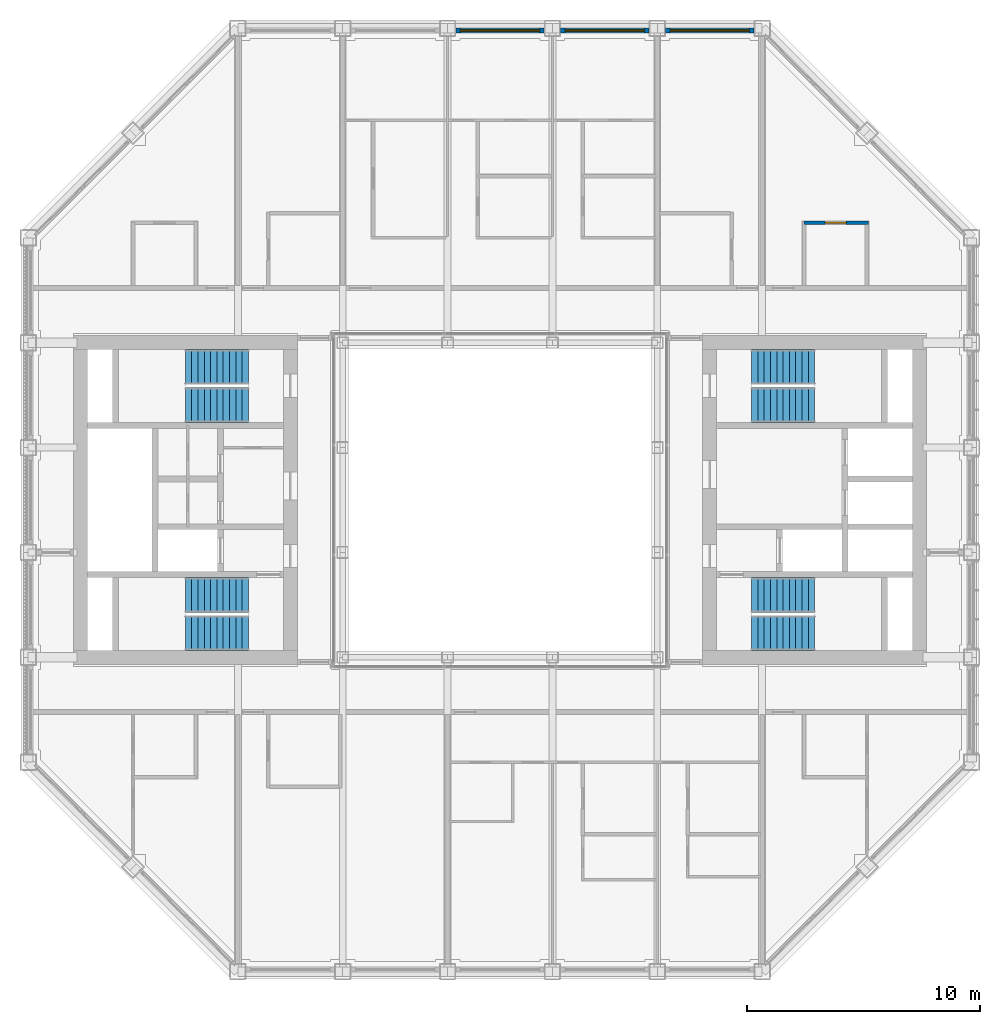
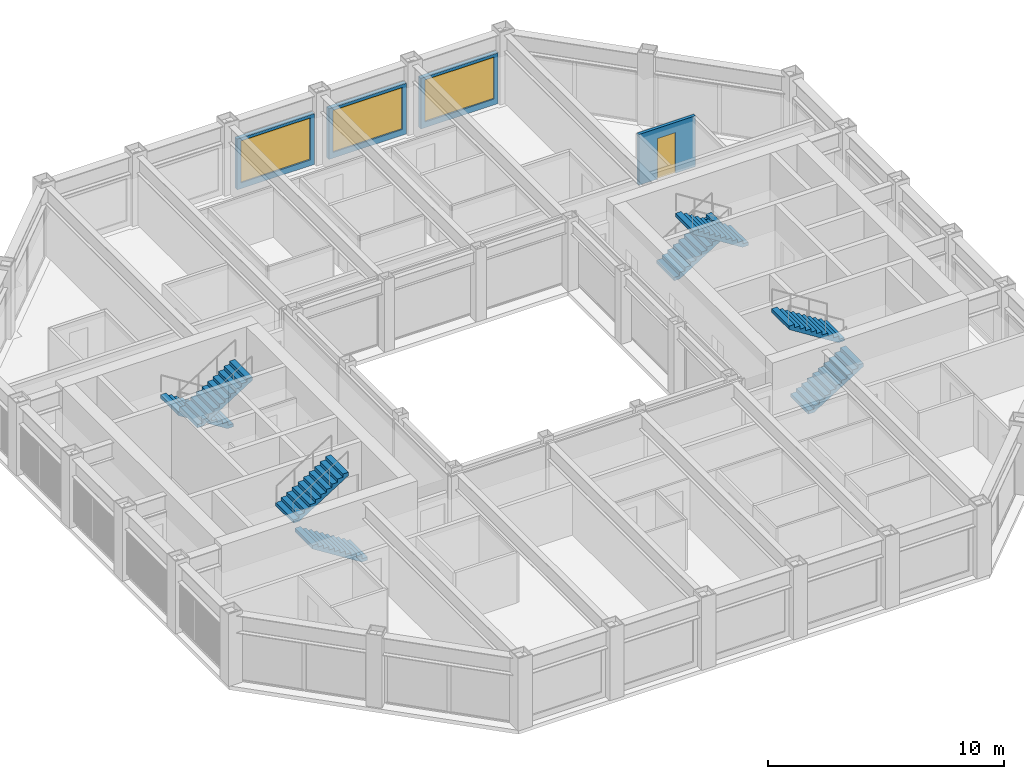
# One storey, part 13 of 17: 8 stair flights, 4 walls, 3 windows, 1 door, 4 openings, 4 elements without a shape of their own.
"""IFC4 building model written with IfcOpenShell, lengths in metres."""

from ifc_helpers import new_model, si_unit, direction, frame, frame_2d, origin, place, context, subcontext, project, spatial, polyline, rectangle, outline, extrude, material, layer, layer_set, type_object, element, fill, aggregate, save


model = new_model("IFC4")

# Units and contexts
model_context = context("Model", 3, precision=1e-05, world=origin(), true_north=direction((0.0, 1.0)))
body_context = subcontext(model_context, "Body", "Model", "MODEL_VIEW")
ifc_project = project(units=[si_unit("LENGTHUNIT", "METRE"), si_unit("AREAUNIT", "SQUARE_METRE"), si_unit("VOLUMEUNIT", "CUBIC_METRE"), si_unit("PLANEANGLEUNIT", "RADIAN"), si_unit("MASSUNIT", "GRAM", prefix="KILO")], contexts=[model_context])

# Site, building, storey
site_placement = place(None, origin())
site = spatial("IfcSite", under=ifc_project, at=site_placement, CompositionType="ELEMENT")
building_placement = place(site_placement, origin())
building = spatial("IfcBuilding", under=site, at=building_placement, Name="Msasa Ring Tower", CompositionType="ELEMENT")
storey_placement = place(building_placement, frame((0.0, 0.0, 234.550048828125)))
storey = spatial("IfcBuildingStorey", under=building, at=storey_placement, Name="L61", CompositionType="ELEMENT", Elevation=234.550048828125)

# Wall, opening, window
ifc_material_1 = material(Name="Terracotta rainscreen on blockwork", Category="masonry")
ifc_layer_1 = layer(ifc_material_1, 0.199951171875)
ifc_layer_set_1 = layer_set([ifc_layer_1], Name="FW1 TERRACOTTA-LINED INFILL BAY WALL 200")
wall_type_1 = type_object("IfcWallType", Name="FW1 TERRACOTTA-LINED INFILL BAY WALL 200", PredefinedType="SOLIDWALL", material=ifc_layer_set_1)
wall_1_placement = place(storey_placement, frame((-1.89501953125, 20.14990234375, 0.0), z_axis=(0.0, 0.0, 1.0), x_axis=(1.0, 0.0, 0.0)))
wall_1 = element("IfcWall", 1, at=wall_1_placement, inside=storey, type_object=wall_type_1, Name="Infill bay wall N L61 16", PredefinedType="SOLIDWALL", context=body_context, shape_type="SweptSolid", body=[
    extrude(rectangle(XDim=3.7900390625, YDim=0.199951171875, at=frame_2d((1.89501953125, 0.0))), origin(), (0.0, 0.0, 1.0), 2.62890625),
])
opening_1_placement = place(wall_1_placement, frame((0.195068359375, 0.0, 0.300048828125)))
opening_1 = element("IfcOpeningElement", 2, at=opening_1_placement, cuts=wall_1, Name="Opening WN3", PredefinedType="OPENING", context=body_context, shape_type="SweptSolid", body=[
    extrude(rectangle(XDim=3.39990234375, YDim=2.178955078125, at=frame_2d((1.699951171875, 1.08935546875))), frame((0.0, 0.10986328125, 0.0), z_axis=(0.0, -1.0, 0.0), x_axis=(1.0, 0.0, 0.0)), (0.0, 0.0, 1.0), 0.219970703125),
])
ifc_material_2 = material(Name="Aluminium frame with clear glass", Category="aluminium")
window_type = type_object("IfcWindowType", Name="WN3 SUITE WINDOW 3400x2179", PartitioningType="SINGLE_PANEL", PredefinedType="WINDOW", material=ifc_material_2)
window_1_placement = place(opening_1_placement, origin())
window_1 = element("IfcWindow", 3, at=window_1_placement, inside=storey, type_object=window_type, Name="Window N L61 16", OverallHeight=2.178955078125, OverallWidth=3.39990234375, PartitioningType="SINGLE_PANEL", PredefinedType="WINDOW", context=body_context, shape_type="SweptSolid", body=[
    extrude(rectangle(XDim=3.39990234375, YDim=2.178955078125, at=frame_2d((1.699951171875, 1.08935546875))), frame((0.0, 0.030029296875, 0.0), z_axis=(0.0, -1.0, 0.0), x_axis=(1.0, 0.0, 0.0)), (0.0, 0.0, 1.0), 0.06005859375),
])
fill(opening_1, window_1)

wall_2_placement = place(storey_placement, frame((2.60498046875, 20.14990234375, 0.0), z_axis=(0.0, 0.0, 1.0), x_axis=(1.0, 0.0, 0.0)))
wall_2 = element("IfcWall", 4, at=wall_2_placement, inside=storey, type_object=wall_type_1, Name="Infill bay wall N L61 17", PredefinedType="SOLIDWALL", context=body_context, shape_type="SweptSolid", body=[
    extrude(rectangle(XDim=3.7900390625, YDim=0.199951171875, at=frame_2d((1.89501953125, 0.0))), origin(), (0.0, 0.0, 1.0), 2.62890625),
])
opening_2_placement = place(wall_2_placement, frame((0.195068359375, 0.0, 0.300048828125)))
opening_2 = element("IfcOpeningElement", 5, at=opening_2_placement, cuts=wall_2, Name="Opening WN3", PredefinedType="OPENING", context=body_context, shape_type="SweptSolid", body=[
    extrude(rectangle(XDim=3.39990234375, YDim=2.178955078125, at=frame_2d((1.699951171875, 1.08935546875))), frame((0.0, 0.10986328125, 0.0), z_axis=(0.0, -1.0, 0.0), x_axis=(1.0, 0.0, 0.0)), (0.0, 0.0, 1.0), 0.219970703125),
])
window_2_placement = place(opening_2_placement, origin())
window_2 = element("IfcWindow", 6, at=window_2_placement, inside=storey, type_object=window_type, Name="Window N L61 17", OverallHeight=2.178955078125, OverallWidth=3.39990234375, PartitioningType="SINGLE_PANEL", PredefinedType="WINDOW", context=body_context, shape_type="SweptSolid", body=[
    extrude(rectangle(XDim=3.39990234375, YDim=2.178955078125, at=frame_2d((1.699951171875, 1.08935546875))), frame((0.0, 0.030029296875, 0.0), z_axis=(0.0, -1.0, 0.0), x_axis=(1.0, 0.0, 0.0)), (0.0, 0.0, 1.0), 0.06005859375),
])
fill(opening_2, window_2)

wall_3_placement = place(storey_placement, frame((7.10498046875, 20.14990234375, 0.0), z_axis=(0.0, 0.0, 1.0), x_axis=(1.0, 0.0, 0.0)))
wall_3 = element("IfcWall", 7, at=wall_3_placement, inside=storey, type_object=wall_type_1, Name="Infill bay wall N L61 18", PredefinedType="SOLIDWALL", context=body_context, shape_type="SweptSolid", body=[
    extrude(rectangle(XDim=3.7900390625, YDim=0.199951171875, at=frame_2d((1.89501953125, 0.0))), origin(), (0.0, 0.0, 1.0), 2.62890625),
])
opening_3_placement = place(wall_3_placement, frame((0.195068359375, 0.0, 0.300048828125)))
opening_3 = element("IfcOpeningElement", 8, at=opening_3_placement, cuts=wall_3, Name="Opening WN3", PredefinedType="OPENING", context=body_context, shape_type="SweptSolid", body=[
    extrude(rectangle(XDim=3.39990234375, YDim=2.178955078125, at=frame_2d((1.699951171875, 1.08935546875))), frame((0.0, 0.10986328125, 0.0), z_axis=(0.0, -1.0, 0.0), x_axis=(1.0, 0.0, 0.0)), (0.0, 0.0, 1.0), 0.219970703125),
])
window_3_placement = place(opening_3_placement, origin())
window_3 = element("IfcWindow", 9, at=window_3_placement, inside=storey, type_object=window_type, Name="Window N L61 18", OverallHeight=2.178955078125, OverallWidth=3.39990234375, PartitioningType="SINGLE_PANEL", PredefinedType="WINDOW", context=body_context, shape_type="SweptSolid", body=[
    extrude(rectangle(XDim=3.39990234375, YDim=2.178955078125, at=frame_2d((1.699951171875, 1.08935546875))), frame((0.0, 0.030029296875, 0.0), z_axis=(0.0, -1.0, 0.0), x_axis=(1.0, 0.0, 0.0)), (0.0, 0.0, 1.0), 0.06005859375),
])
fill(opening_3, window_3)

# Wall, opening, door
ifc_material_3 = material(Name="Moisture-resistant board on steel studs with a concealed cistern and pipe void, tiled", Category="steel")
ifc_layer_2 = layer(ifc_material_3, 0.14990234375)
ifc_layer_set_2 = layer_set([ifc_layer_2], Name="PT4 BATHROOM WET WALL 150")
wall_type_2 = type_object("IfcWallType", Name="PT4 BATHROOM WET WALL 150", PredefinedType="PARTITIONING", material=ifc_layer_set_2)
wall_4_placement = place(storey_placement, frame((13.050048828125, 11.89990234375, 0.0), z_axis=(0.0, 0.0, 1.0), x_axis=(1.0, 0.0, 0.0)))
wall_4 = element("IfcWall", 10, at=wall_4_placement, inside=storey, type_object=wall_type_2, Name="Partition L61-CSNEBY", PredefinedType="PARTITIONING", context=body_context, shape_type="SweptSolid", body=[
    extrude(rectangle(XDim=2.77490234375, YDim=0.14990234375, at=frame_2d((1.387451171875, 0.0))), origin(), (0.0, 0.0, 1.0), 2.62890625),
])
opening_4_placement = place(wall_4_placement, frame((0.89990234375, 0.0, 0.0)))
opening_4 = element("IfcOpeningElement", 11, at=opening_4_placement, cuts=wall_4, Name="Opening SD-010", PredefinedType="OPENING", context=body_context, shape_type="SweptSolid", body=[
    extrude(rectangle(XDim=0.89990234375, YDim=2.10009765625, at=frame_2d((0.449951171875, 1.050048828125))), frame((0.0, 0.0849609375, 0.0), z_axis=(0.0, -1.0, 0.0), x_axis=(1.0, 0.0, 0.0)), (0.0, 0.0, 1.0), 0.169921875),
])
ifc_material_4 = material(Name="Timber door leaf in a steel frame", Category="steel")
door_type = type_object("IfcDoorType", Name="D3 BATHROOM DOOR 900x2100", OperationType="SINGLE_SWING_LEFT", PredefinedType="DOOR", material=ifc_material_4)
door_placement = place(opening_4_placement, origin())
door = element("IfcDoor", 12, at=door_placement, inside=storey, type_object=door_type, Name="Door L61-CSNEB1", OperationType="SINGLE_SWING_LEFT", OverallHeight=2.10009765625, OverallWidth=0.89990234375, PredefinedType="DOOR", context=body_context, shape_type="SweptSolid", body=[
    extrude(rectangle(XDim=0.89990234375, YDim=2.10009765625, at=frame_2d((0.449951171875, 1.050048828125))), frame((0.0, 0.02490234375, 0.0), z_axis=(0.0, -1.0, 0.0), x_axis=(1.0, 0.0, 0.0)), (0.0, 0.0, 1.0), 0.050048828125),
])
fill(opening_4, door)

# Stair, stair flights
ifc_material_5 = material(Name="Concrete C40/50", Category="concrete")
stair_type = type_object("IfcStairType", Name="STC CORE STAIR 22 RISERS 170.5", PredefinedType="HALF_TURN_STAIR", material=ifc_material_5)
stair_1_placement = place(storey_placement, origin())
stair_1 = element("IfcStair", 13, at=stair_1_placement, inside=storey, type_object=stair_type, Name="Core stair SEA L61", PredefinedType="HALF_TURN_STAIR")
ifc_material_6 = material(Name="Concrete C40/50", Category="concrete")
stair_flight_type = type_object("IfcStairFlightType", Name="ST11 CORE STAIR FLIGHT 1500 11 RISERS 170.5", PredefinedType="STRAIGHT", material=ifc_material_6)
stair_flight_1_placement = place(storey_placement, frame((10.800048828125, -5.699951171875, 0.0), z_axis=(0.0, 0.0, 1.0), x_axis=(1.0, 0.0, 0.0)))
stair_flight_1 = element("IfcStairFlight", 14, at=stair_flight_1_placement, type_object=stair_flight_type, Name="SEA flight 1", NumberOfRisers=11, NumberOfTreads=10, PredefinedType="STRAIGHT", RiserHeight=0.170454545, TreadLength=0.27, context=body_context, shape_type="SweptSolid", body=[
    extrude(outline(polyline([(0.0, 0.0), (0.0, 0.17041015625), (0.27001953125, 0.17041015625), (0.27001953125, 0.3408203125), (0.5400390625, 0.3408203125), (0.5400390625, 0.511474609375), (0.81005859375, 0.511474609375), (0.81005859375, 0.681884765625), (1.080078125, 0.681884765625), (1.080078125, 0.852294921875), (1.35009765625, 0.852294921875), (1.35009765625, 1.022705078125), (1.6201171875, 1.022705078125), (1.6201171875, 1.193115234375), (1.889892578125, 1.193115234375), (1.889892578125, 1.363525390625), (2.159912109375, 1.363525390625), (2.159912109375, 1.5341796875), (2.429931640625, 1.5341796875), (2.429931640625, 1.70458984375), (2.699951171875, 1.70458984375), (2.699951171875, 1.875), (2.699951171875, 1.52734375), (0.28076171875, 0.0), (0.0, 0.0)])), frame((0.0, 0.75, 0.0), z_axis=(0.0, -1.0, 0.0), x_axis=(1.0, 0.0, 0.0)), (0.0, 0.0, 1.0), 1.5),
])
stair_flight_2_placement = place(storey_placement, frame((13.5, -4.074951171875, 1.875), z_axis=(0.0, 0.0, 1.0), x_axis=(-1.0, 0.0, 0.0)))
stair_flight_2 = element("IfcStairFlight", 15, at=stair_flight_2_placement, type_object=stair_flight_type, Name="SEA flight 2", NumberOfRisers=11, NumberOfTreads=10, PredefinedType="STRAIGHT", RiserHeight=0.170454545, TreadLength=0.27, context=body_context, shape_type="SweptSolid", body=[
    extrude(outline(polyline([(0.0, 0.0), (0.0, 0.17041015625), (0.27001953125, 0.17041015625), (0.27001953125, 0.3408203125), (0.5400390625, 0.3408203125), (0.5400390625, 0.511474609375), (0.81005859375, 0.511474609375), (0.81005859375, 0.681884765625), (1.080078125, 0.681884765625), (1.080078125, 0.852294921875), (1.35009765625, 0.852294921875), (1.35009765625, 1.022705078125), (1.6201171875, 1.022705078125), (1.6201171875, 1.193115234375), (1.889892578125, 1.193115234375), (1.889892578125, 1.363525390625), (2.159912109375, 1.363525390625), (2.159912109375, 1.5341796875), (2.429931640625, 1.5341796875), (2.429931640625, 1.70458984375), (2.699951171875, 1.70458984375), (2.699951171875, 1.875), (2.699951171875, 1.52734375), (0.28076171875, 0.0), (0.0, 0.0)])), frame((0.0, 0.75, 0.0), z_axis=(0.0, -1.0, 0.0), x_axis=(1.0, 0.0, 0.0)), (0.0, 0.0, 1.0), 1.5),
])
aggregate(stair_1, [stair_flight_1, stair_flight_2])

stair_2_placement = place(storey_placement, origin())
stair_2 = element("IfcStair", 16, at=stair_2_placement, inside=storey, type_object=stair_type, Name="Core stair SEB L61", PredefinedType="HALF_TURN_STAIR")
stair_flight_3_placement = place(storey_placement, frame((10.800048828125, 5.699951171875, 0.0), z_axis=(0.0, 0.0, 1.0), x_axis=(1.0, 0.0, 0.0)))
stair_flight_3 = element("IfcStairFlight", 17, at=stair_flight_3_placement, type_object=stair_flight_type, Name="SEB flight 1", NumberOfRisers=11, NumberOfTreads=10, PredefinedType="STRAIGHT", RiserHeight=0.170454545, TreadLength=0.27, context=body_context, shape_type="SweptSolid", body=[
    extrude(outline(polyline([(0.0, 0.0), (0.0, 0.17041015625), (0.27001953125, 0.17041015625), (0.27001953125, 0.3408203125), (0.5400390625, 0.3408203125), (0.5400390625, 0.511474609375), (0.81005859375, 0.511474609375), (0.81005859375, 0.681884765625), (1.080078125, 0.681884765625), (1.080078125, 0.852294921875), (1.35009765625, 0.852294921875), (1.35009765625, 1.022705078125), (1.6201171875, 1.022705078125), (1.6201171875, 1.193115234375), (1.889892578125, 1.193115234375), (1.889892578125, 1.363525390625), (2.159912109375, 1.363525390625), (2.159912109375, 1.5341796875), (2.429931640625, 1.5341796875), (2.429931640625, 1.70458984375), (2.699951171875, 1.70458984375), (2.699951171875, 1.875), (2.699951171875, 1.52734375), (0.28076171875, 0.0), (0.0, 0.0)])), frame((0.0, 0.75, 0.0), z_axis=(0.0, -1.0, 0.0), x_axis=(1.0, 0.0, 0.0)), (0.0, 0.0, 1.0), 1.5),
])
stair_flight_4_placement = place(storey_placement, frame((13.5, 4.074951171875, 1.875), z_axis=(0.0, 0.0, 1.0), x_axis=(-1.0, 0.0, 0.0)))
stair_flight_4 = element("IfcStairFlight", 18, at=stair_flight_4_placement, type_object=stair_flight_type, Name="SEB flight 2", NumberOfRisers=11, NumberOfTreads=10, PredefinedType="STRAIGHT", RiserHeight=0.170454545, TreadLength=0.27, context=body_context, shape_type="SweptSolid", body=[
    extrude(outline(polyline([(0.0, 0.0), (0.0, 0.17041015625), (0.27001953125, 0.17041015625), (0.27001953125, 0.3408203125), (0.5400390625, 0.3408203125), (0.5400390625, 0.511474609375), (0.81005859375, 0.511474609375), (0.81005859375, 0.681884765625), (1.080078125, 0.681884765625), (1.080078125, 0.852294921875), (1.35009765625, 0.852294921875), (1.35009765625, 1.022705078125), (1.6201171875, 1.022705078125), (1.6201171875, 1.193115234375), (1.889892578125, 1.193115234375), (1.889892578125, 1.363525390625), (2.159912109375, 1.363525390625), (2.159912109375, 1.5341796875), (2.429931640625, 1.5341796875), (2.429931640625, 1.70458984375), (2.699951171875, 1.70458984375), (2.699951171875, 1.875), (2.699951171875, 1.52734375), (0.28076171875, 0.0), (0.0, 0.0)])), frame((0.0, 0.75, 0.0), z_axis=(0.0, -1.0, 0.0), x_axis=(1.0, 0.0, 0.0)), (0.0, 0.0, 1.0), 1.5),
])
aggregate(stair_2, [stair_flight_3, stair_flight_4])

stair_3_placement = place(storey_placement, origin())
stair_3 = element("IfcStair", 19, at=stair_3_placement, inside=storey, type_object=stair_type, Name="Core stair SWA L61", PredefinedType="HALF_TURN_STAIR")
stair_flight_5_placement = place(storey_placement, frame((-10.800048828125, -5.699951171875, 0.0), z_axis=(0.0, 0.0, 1.0), x_axis=(-1.0, 0.0, 0.0)))
stair_flight_5 = element("IfcStairFlight", 20, at=stair_flight_5_placement, type_object=stair_flight_type, Name="SWA flight 1", NumberOfRisers=11, NumberOfTreads=10, PredefinedType="STRAIGHT", RiserHeight=0.170454545, TreadLength=0.27, context=body_context, shape_type="SweptSolid", body=[
    extrude(outline(polyline([(0.0, 0.0), (0.0, 0.17041015625), (0.27001953125, 0.17041015625), (0.27001953125, 0.3408203125), (0.5400390625, 0.3408203125), (0.5400390625, 0.511474609375), (0.81005859375, 0.511474609375), (0.81005859375, 0.681884765625), (1.080078125, 0.681884765625), (1.080078125, 0.852294921875), (1.35009765625, 0.852294921875), (1.35009765625, 1.022705078125), (1.6201171875, 1.022705078125), (1.6201171875, 1.193115234375), (1.889892578125, 1.193115234375), (1.889892578125, 1.363525390625), (2.159912109375, 1.363525390625), (2.159912109375, 1.5341796875), (2.429931640625, 1.5341796875), (2.429931640625, 1.70458984375), (2.699951171875, 1.70458984375), (2.699951171875, 1.875), (2.699951171875, 1.52734375), (0.28076171875, 0.0), (0.0, 0.0)])), frame((0.0, 0.75, 0.0), z_axis=(0.0, -1.0, 0.0), x_axis=(1.0, 0.0, 0.0)), (0.0, 0.0, 1.0), 1.5),
])
stair_flight_6_placement = place(storey_placement, frame((-13.5, -4.074951171875, 1.875), z_axis=(0.0, 0.0, 1.0), x_axis=(1.0, 0.0, 0.0)))
stair_flight_6 = element("IfcStairFlight", 21, at=stair_flight_6_placement, type_object=stair_flight_type, Name="SWA flight 2", NumberOfRisers=11, NumberOfTreads=10, PredefinedType="STRAIGHT", RiserHeight=0.170454545, TreadLength=0.27, context=body_context, shape_type="SweptSolid", body=[
    extrude(outline(polyline([(0.0, 0.0), (0.0, 0.17041015625), (0.27001953125, 0.17041015625), (0.27001953125, 0.3408203125), (0.5400390625, 0.3408203125), (0.5400390625, 0.511474609375), (0.81005859375, 0.511474609375), (0.81005859375, 0.681884765625), (1.080078125, 0.681884765625), (1.080078125, 0.852294921875), (1.35009765625, 0.852294921875), (1.35009765625, 1.022705078125), (1.6201171875, 1.022705078125), (1.6201171875, 1.193115234375), (1.889892578125, 1.193115234375), (1.889892578125, 1.363525390625), (2.159912109375, 1.363525390625), (2.159912109375, 1.5341796875), (2.429931640625, 1.5341796875), (2.429931640625, 1.70458984375), (2.699951171875, 1.70458984375), (2.699951171875, 1.875), (2.699951171875, 1.52734375), (0.28076171875, 0.0), (0.0, 0.0)])), frame((0.0, 0.75, 0.0), z_axis=(0.0, -1.0, 0.0), x_axis=(1.0, 0.0, 0.0)), (0.0, 0.0, 1.0), 1.5),
])
aggregate(stair_3, [stair_flight_5, stair_flight_6])

stair_4_placement = place(storey_placement, origin())
stair_4 = element("IfcStair", 22, at=stair_4_placement, inside=storey, type_object=stair_type, Name="Core stair SWB L61", PredefinedType="HALF_TURN_STAIR")
stair_flight_7_placement = place(storey_placement, frame((-10.800048828125, 5.699951171875, 0.0), z_axis=(0.0, 0.0, 1.0), x_axis=(-1.0, 0.0, 0.0)))
stair_flight_7 = element("IfcStairFlight", 23, at=stair_flight_7_placement, type_object=stair_flight_type, Name="SWB flight 1", NumberOfRisers=11, NumberOfTreads=10, PredefinedType="STRAIGHT", RiserHeight=0.170454545, TreadLength=0.27, context=body_context, shape_type="SweptSolid", body=[
    extrude(outline(polyline([(0.0, 0.0), (0.0, 0.17041015625), (0.27001953125, 0.17041015625), (0.27001953125, 0.3408203125), (0.5400390625, 0.3408203125), (0.5400390625, 0.511474609375), (0.81005859375, 0.511474609375), (0.81005859375, 0.681884765625), (1.080078125, 0.681884765625), (1.080078125, 0.852294921875), (1.35009765625, 0.852294921875), (1.35009765625, 1.022705078125), (1.6201171875, 1.022705078125), (1.6201171875, 1.193115234375), (1.889892578125, 1.193115234375), (1.889892578125, 1.363525390625), (2.159912109375, 1.363525390625), (2.159912109375, 1.5341796875), (2.429931640625, 1.5341796875), (2.429931640625, 1.70458984375), (2.699951171875, 1.70458984375), (2.699951171875, 1.875), (2.699951171875, 1.52734375), (0.28076171875, 0.0), (0.0, 0.0)])), frame((0.0, 0.75, 0.0), z_axis=(0.0, -1.0, 0.0), x_axis=(1.0, 0.0, 0.0)), (0.0, 0.0, 1.0), 1.5),
])
stair_flight_8_placement = place(storey_placement, frame((-13.5, 4.074951171875, 1.875), z_axis=(0.0, 0.0, 1.0), x_axis=(1.0, 0.0, 0.0)))
stair_flight_8 = element("IfcStairFlight", 24, at=stair_flight_8_placement, type_object=stair_flight_type, Name="SWB flight 2", NumberOfRisers=11, NumberOfTreads=10, PredefinedType="STRAIGHT", RiserHeight=0.170454545, TreadLength=0.27, context=body_context, shape_type="SweptSolid", body=[
    extrude(outline(polyline([(0.0, 0.0), (0.0, 0.17041015625), (0.27001953125, 0.17041015625), (0.27001953125, 0.3408203125), (0.5400390625, 0.3408203125), (0.5400390625, 0.511474609375), (0.81005859375, 0.511474609375), (0.81005859375, 0.681884765625), (1.080078125, 0.681884765625), (1.080078125, 0.852294921875), (1.35009765625, 0.852294921875), (1.35009765625, 1.022705078125), (1.6201171875, 1.022705078125), (1.6201171875, 1.193115234375), (1.889892578125, 1.193115234375), (1.889892578125, 1.363525390625), (2.159912109375, 1.363525390625), (2.159912109375, 1.5341796875), (2.429931640625, 1.5341796875), (2.429931640625, 1.70458984375), (2.699951171875, 1.70458984375), (2.699951171875, 1.875), (2.699951171875, 1.52734375), (0.28076171875, 0.0), (0.0, 0.0)])), frame((0.0, 0.75, 0.0), z_axis=(0.0, -1.0, 0.0), x_axis=(1.0, 0.0, 0.0)), (0.0, 0.0, 1.0), 1.5),
])
aggregate(stair_4, [stair_flight_7, stair_flight_8])

save(model, "model.ifc")
